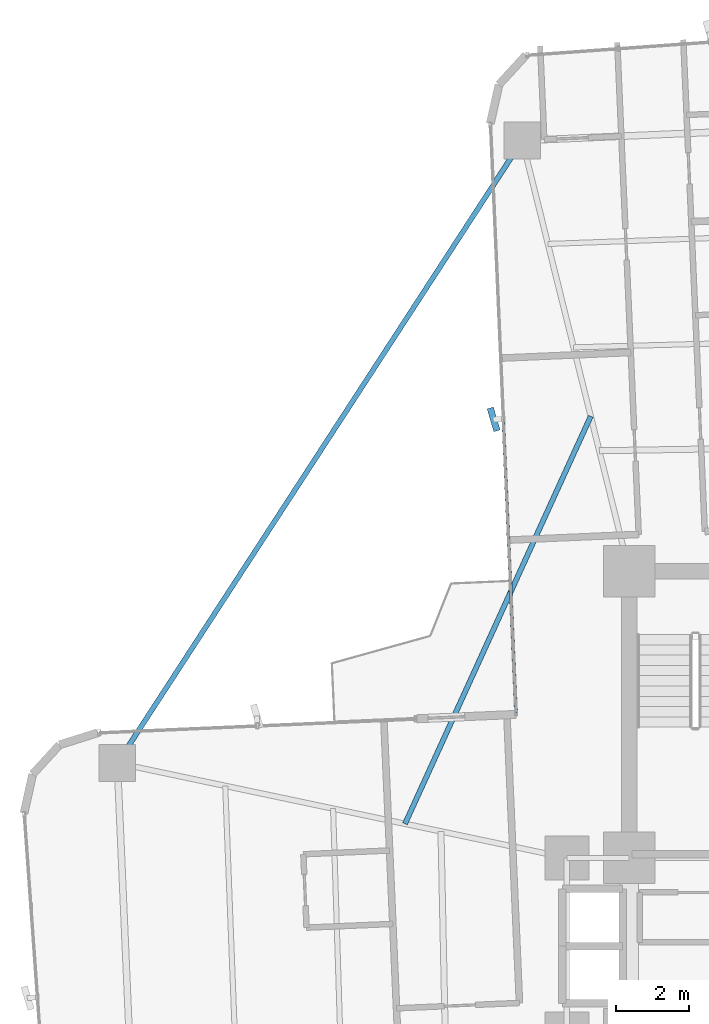
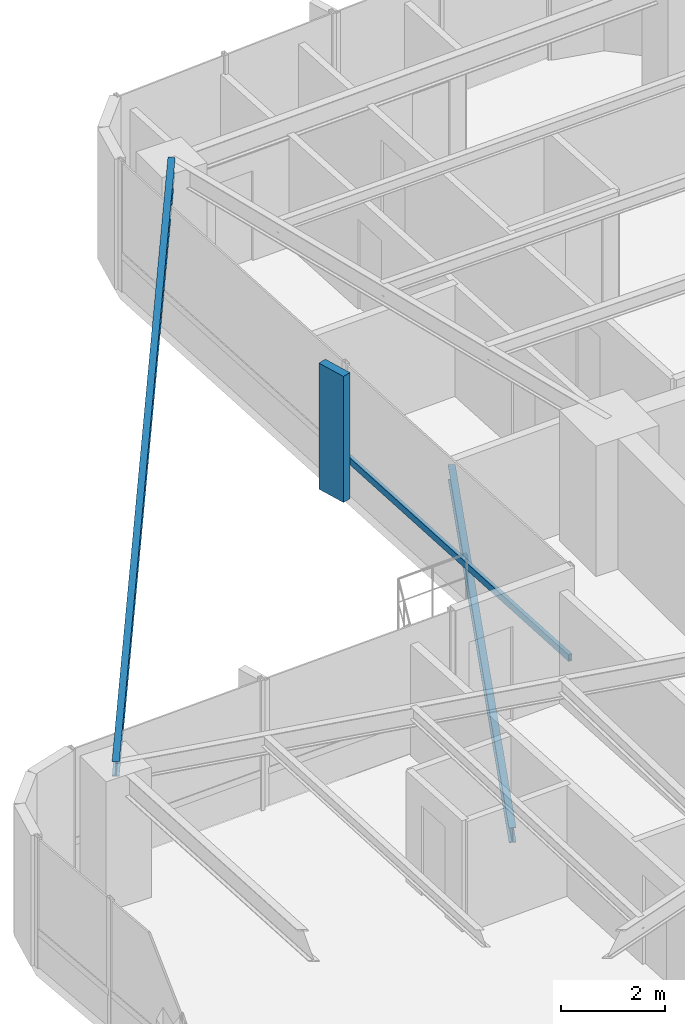
# One storey, part 16 of 27: 2 beams, 2 members, 1 element without a shape of its own.
"""IFC4 building model written with IfcOpenShell, lengths in metres."""

from ifc_helpers import new_model, si_unit, direction, frame, origin, origin_2d, place, context, subcontext, project, spatial, rectangle, hollow_rectangle, i_section, extrude, source, transform, mapped, material, material_profile, profile_set, type_object, element, aggregate, save


model = new_model("IFC4")

# Units and contexts
model_context = context("Model", 3, precision=1e-05, world=origin(), true_north=direction((0.0, 1.0)))
body_context = subcontext(model_context, "Body", "Model", "MODEL_VIEW")
ifc_project = project(units=[si_unit("LENGTHUNIT", "METRE"), si_unit("AREAUNIT", "SQUARE_METRE"), si_unit("VOLUMEUNIT", "CUBIC_METRE"), si_unit("PLANEANGLEUNIT", "RADIAN"), si_unit("MASSUNIT", "GRAM", prefix="KILO")], contexts=[model_context])

# Site, building, storey
site_placement = place(None, origin())
site = spatial("IfcSite", under=ifc_project, at=site_placement, CompositionType="ELEMENT")
building_placement = place(site_placement, origin())
building = spatial("IfcBuilding", under=site, at=building_placement, Name="Sahyath Konkavel Grand Hotel", CompositionType="ELEMENT")
storey_placement = place(building_placement, frame((0.0, 0.0, 103.60009765625)))
storey = spatial("IfcBuildingStorey", under=building, at=storey_placement, Name="L28", CompositionType="ELEMENT", Elevation=103.60009765625)

# Beam
ifc_material_1 = material(Name="Steel E350", Category="steel")
ifc_material_profile_1 = material_profile(ifc_material_1, i_section(OverallWidth=0.139892578125, OverallDepth=0.35009765625, WebThickness=0.008056640625, FlangeThickness=0.01416015625, FilletRadius=0.013916015625, at=origin_2d()), Name="ISMB 350")
ifc_profile_set_1 = profile_set([ifc_material_profile_1], Name="Steel E350")
beam_type_1 = type_object("IfcBeamType", Name="BM-ISMB350", PredefinedType="BEAM", material=ifc_profile_set_1)
shared_shape_1 = source(origin(), body_context, "Body", "SweptSolid", [
    extrude(i_section(OverallWidth=0.139892578125, OverallDepth=0.35009765625, WebThickness=0.008056640625, FlangeThickness=0.01416015625, FilletRadius=0.013916015625, at=origin_2d()), origin(), (0.0, 0.0, 1.0), 20.21533203125),
])
beam_1_placement = place(storey_placement, frame((-6.712890625, 21.927978515625, 2.875), z_axis=(-0.545191244931, -0.838311700056, 0.0), x_axis=(0.838311700056, -0.545191244931, 0.0)))
element("IfcBeam", 1, at=beam_1_placement, inside=storey, type_object=beam_type_1, Name="L28 Re-Entrant Tie Beam NW", PredefinedType="BEAM", context=body_context, shape_type="MappedRepresentation", body=[
    mapped(shared_shape_1, transform((0.0, 0.0, 0.0), scale=1.0)),
])

# Curtain wall, member
ifc_material_2 = material(Name="Anodised Bronze Aluminium & Low-E Glazing", Category="aluminium")
curtain_wall_type = type_object("IfcCurtainWallType", Name="CW-ZONE2", PredefinedType="NOTDEFINED", material=ifc_material_2)
curtain_wall_placement = place(storey_placement, origin())
curtain_wall = element("IfcCurtainWall", 2, at=curtain_wall_placement, inside=storey, type_object=curtain_wall_type, Name="L28 Unitised Curtain Wall F15", PredefinedType="NOTDEFINED")
ifc_material_3 = material(Name="Anodised Bronze Aluminium", Category="aluminium")
ifc_material_profile_2 = material_profile(ifc_material_3, hollow_rectangle(XDim=0.080078125, YDim=0.159912109375, WallThickness=0.006103515625, at=origin_2d()), Name="RHS 160x80x6")
ifc_profile_set_2 = profile_set([ifc_material_profile_2], Name="Anodised Bronze Aluminium")
member_type_1 = type_object("IfcMemberType", Name="CW-TRN-160", PredefinedType="USERDEFINED", material=ifc_profile_set_2)
shared_shape_2 = source(origin(), body_context, "Body", "SweptSolid", [
    extrude(hollow_rectangle(XDim=0.080078125, YDim=0.159912109375, WallThickness=0.006103515625, at=origin_2d()), origin(), (0.0, 0.0, 1.0), 8.010009765625),
])
member_1_placement = place(storey_placement, frame((-7.232666015625, 14.34814453125, 0.849853515625), z_axis=(0.043615785896, -0.999048378819, 0.0), x_axis=(0.999048378819, 0.043615785896, 0.0)))
member_1 = element("IfcMember", 3, at=member_1_placement, type_object=member_type_1, Name="L28 Curtain Wall Transom F15-1-spandrel", ObjectType="TRANSOM", PredefinedType="USERDEFINED", context=body_context, shape_type="MappedRepresentation", body=[
    mapped(shared_shape_2, transform((0.0, 0.0, 0.0), scale=1.0)),
])

# Beam
ifc_material_profile_3 = material_profile(ifc_material_1, i_section(OverallWidth=0.139892578125, OverallDepth=0.35009765625, WebThickness=0.008056640625, FlangeThickness=0.01416015625, FilletRadius=0.013916015625, at=origin_2d()), Name="ISMB 350")
ifc_profile_set_3 = profile_set([ifc_material_profile_3], Name="Steel E350")
beam_type_2 = type_object("IfcBeamType", Name="BM-BALC-CANT", PredefinedType="BEAM", material=ifc_profile_set_3)
shared_shape_3 = source(origin(), body_context, "Body", "SweptSolid", [
    extrude(i_section(OverallWidth=0.139892578125, OverallDepth=0.35009765625, WebThickness=0.008056640625, FlangeThickness=0.01416015625, FilletRadius=0.013916015625, at=origin_2d()), origin(), (0.0, 0.0, 1.0), 12.190673828125),
])
beam_2_placement = place(storey_placement, frame((-4.8486328125, 14.422119140625, -0.4150390625), z_axis=(-0.414712580086, -0.909952458054, 0.0), x_axis=(0.909952458054, -0.414712580086, 0.0)))
element("IfcBeam", 4, at=beam_2_placement, inside=storey, type_object=beam_type_2, Name="L28 Balcony Cantilever Support Beam NW", PredefinedType="BEAM", context=body_context, shape_type="MappedRepresentation", body=[
    mapped(shared_shape_3, transform((0.0, 0.0, 0.0), scale=1.0)),
])

# Member
ifc_material_4 = material(Name="Warm Buff Sandstone Cladding on Concrete C50/60", Category="masonry")
ifc_material_profile_4 = material_profile(ifc_material_4, rectangle(XDim=0.179931640625, YDim=0.64990234375, at=origin_2d()), Name="FIN 180x650")
ifc_profile_set_4 = profile_set([ifc_material_profile_4], Name="Warm Buff Sandstone Cladding on Concrete C50/60")
member_type_2 = type_object("IfcMemberType", Name="FIN-SANDSTONE-650", PredefinedType="MULLION", material=ifc_profile_set_4)
shared_shape_4 = source(origin(), body_context, "Body", "SweptSolid", [
    extrude(rectangle(XDim=0.179931640625, YDim=0.64990234375, at=origin_2d()), origin(), (0.0, 0.0, 1.0), 2.9501953125),
])
member_2_placement = place(storey_placement, frame((-7.492431640625, 14.3369140625, 0.0498046875), z_axis=(0.0, 0.0, 1.0), x_axis=(0.959264682049, 0.282508884416, 0.0)))
member_2 = element("IfcMember", 5, at=member_2_placement, type_object=member_type_2, Name="L28 Sandstone Vertical Solar Fin FIN F15-1", PredefinedType="MULLION", context=body_context, shape_type="MappedRepresentation", body=[
    mapped(shared_shape_4, transform((0.0, 0.0, 0.0), scale=1.0)),
])

aggregate(curtain_wall, [member_2, member_1])

save(model, "model.ifc")
